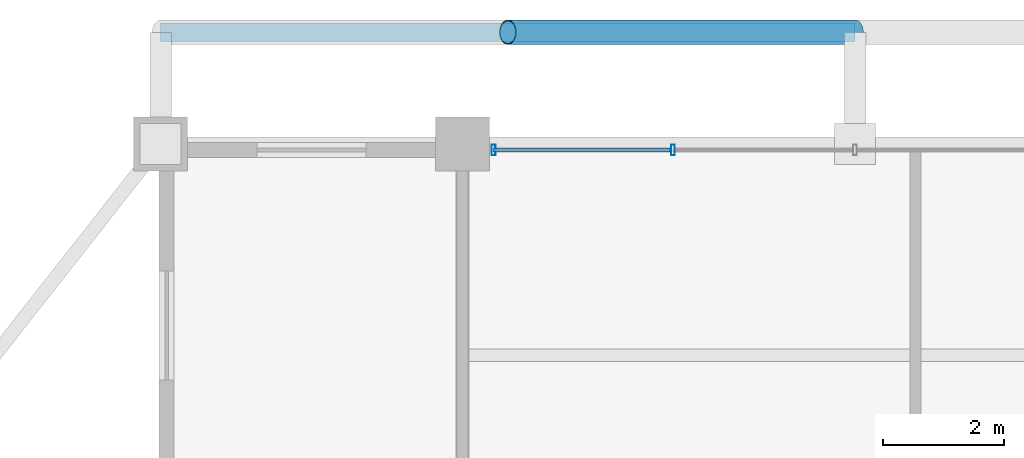
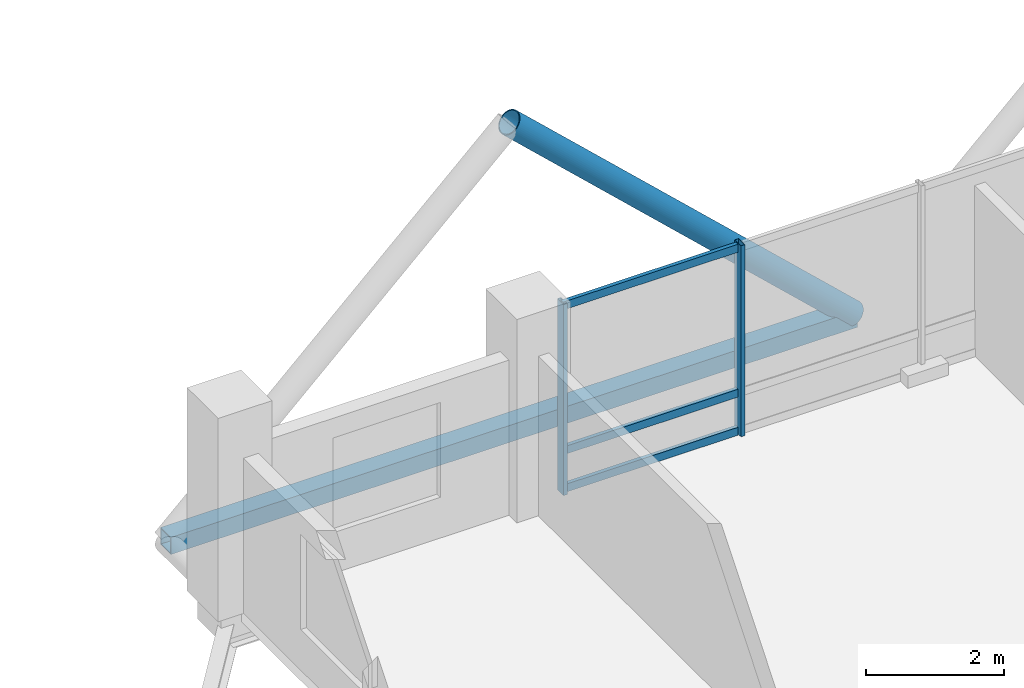
# One storey, part 15 of 24: 7 members, 1 element without a shape of its own.
"""IFC4 building model written with IfcOpenShell, lengths in metres."""

from ifc_helpers import new_model, si_unit, direction, frame, origin, origin_2d, place, context, subcontext, project, spatial, hollow_rectangle, hollow_circle, extrude, material, layer, layer_set, material_profile, profile_set, type_object, element, aggregate, save


model = new_model("IFC4")

# Units and contexts
model_context = context("Model", 3, precision=1e-05, world=origin(), true_north=direction((0.0, 1.0)))
body_context = subcontext(model_context, "Body", "Model", "MODEL_VIEW")
ifc_project = project(units=[si_unit("LENGTHUNIT", "METRE"), si_unit("AREAUNIT", "SQUARE_METRE"), si_unit("VOLUMEUNIT", "CUBIC_METRE"), si_unit("PLANEANGLEUNIT", "RADIAN"), si_unit("MASSUNIT", "GRAM", prefix="KILO")], contexts=[model_context])

# Site, building, storey
site_placement = place(None, origin())
site = spatial("IfcSite", under=ifc_project, at=site_placement, CompositionType="ELEMENT")
building_placement = place(site_placement, origin())
building = spatial("IfcBuilding", under=site, at=building_placement, Name="Barlavira Tower and Art Museum", CompositionType="ELEMENT")
storey_placement = place(building_placement, frame((0.0, 0.0, 272.699951171875)))
storey = spatial("IfcBuildingStorey", under=building, at=storey_placement, Name="L71", CompositionType="ELEMENT", Elevation=272.699951171875)

# Curtain wall, members
ifc_material_1 = material(Name="Low-iron coastal laminated glass", Category="glass")
ifc_layer = layer(ifc_material_1, 0.2099609375, Name="Low-iron coastal laminated glass")
ifc_layer_set = layer_set([ifc_layer], Name="Low-iron coastal laminated glass")
curtain_wall_type = type_object("IfcCurtainWallType", Name="Pale-Metal Unitised Curtain Wall Zone 4", PredefinedType="NOTDEFINED", material=ifc_layer_set)
curtain_wall_placement = place(storey_placement, origin())
curtain_wall = element("IfcCurtainWall", 1, at=curtain_wall_placement, inside=storey, type_object=curtain_wall_type, Name="L71 Curtain Wall CW4-L71-N-B2", PredefinedType="NOTDEFINED")
ifc_material_2 = material(Name="Pale anodised aluminium", Category="aluminium")
ifc_material_profile_1 = material_profile(ifc_material_2, hollow_rectangle(XDim=0.06494140625, YDim=0.179931640625, WallThickness=0.00390625, at=origin_2d()), Name="ALU-MULL 65x180x4")
ifc_profile_set_1 = profile_set([ifc_material_profile_1], Name="Pale anodised aluminium")
member_type_1 = type_object("IfcMemberType", Name="Curtain Wall Pale-Metal Mullion 65x180", PredefinedType="MULLION", material=ifc_profile_set_1)
member_1_placement = place(storey_placement, frame((-3.014892578125, 19.89990234375, 0.0), z_axis=(0.0, 0.0, 1.0), x_axis=(-1.0, 0.0, 0.0)))
member_1 = element("IfcMember", 2, at=member_1_placement, type_object=member_type_1, Name="CW4-L71-N-B2 Mullion 3", PredefinedType="MULLION", context=body_context, shape_type="SweptSolid", body=[
    extrude(hollow_rectangle(XDim=0.06494140625, YDim=0.179931640625, WallThickness=0.00390625, at=origin_2d()), origin(), (0.0, 0.0, 1.0), 3.380126953125),
])
member_2_placement = place(storey_placement, frame((-5.985107421875, 19.89990234375, 0.0), z_axis=(0.0, 0.0, 1.0), x_axis=(-1.0, 0.0, 0.0)))
member_2 = element("IfcMember", 3, at=member_2_placement, type_object=member_type_1, Name="CW4-L71-N-B2 Mullion 4", PredefinedType="MULLION", context=body_context, shape_type="SweptSolid", body=[
    extrude(hollow_rectangle(XDim=0.06494140625, YDim=0.179931640625, WallThickness=0.00390625, at=origin_2d()), origin(), (0.0, 0.0, 1.0), 3.380126953125),
])
ifc_material_profile_2 = material_profile(ifc_material_2, hollow_rectangle(XDim=0.06494140625, YDim=0.139892578125, WallThickness=0.00390625, at=origin_2d()), Name="ALU-TRAN 65x140x4")
ifc_profile_set_2 = profile_set([ifc_material_profile_2], Name="Pale anodised aluminium")
member_type_2 = type_object("IfcMemberType", Name="Curtain Wall Pale-Metal Transom 65x140", PredefinedType="USERDEFINED", material=ifc_profile_set_2)
member_3_placement = place(storey_placement, frame((-3.06005859375, 19.89990234375, 0.070068359375), z_axis=(-1.0, 0.0, 0.0), x_axis=(0.0, -1.0, 0.0)))
member_3 = element("IfcMember", 4, at=member_3_placement, type_object=member_type_2, Name="CW4-L71-N-B2 Transom 3.1", ObjectType="TRANSOM", PredefinedType="USERDEFINED", context=body_context, shape_type="SweptSolid", body=[
    extrude(hollow_rectangle(XDim=0.06494140625, YDim=0.139892578125, WallThickness=0.00390625, at=origin_2d()), origin(), (0.0, 0.0, 1.0), 2.925048828125),
])
member_4_placement = place(storey_placement, frame((-3.06005859375, 19.89990234375, 0.744140625), z_axis=(-1.0, 0.0, 0.0), x_axis=(0.0, -1.0, 0.0)))
member_4 = element("IfcMember", 5, at=member_4_placement, type_object=member_type_2, Name="CW4-L71-N-B2 Transom 3.2", ObjectType="TRANSOM", PredefinedType="USERDEFINED", context=body_context, shape_type="SweptSolid", body=[
    extrude(hollow_rectangle(XDim=0.06494140625, YDim=0.139892578125, WallThickness=0.00390625, at=origin_2d()), origin(), (0.0, 0.0, 1.0), 2.925048828125),
])
member_5_placement = place(storey_placement, frame((-3.06005859375, 19.89990234375, 3.31005859375), z_axis=(-1.0, 0.0, 0.0), x_axis=(0.0, -1.0, 0.0)))
member_5 = element("IfcMember", 6, at=member_5_placement, type_object=member_type_2, Name="CW4-L71-N-B2 Transom 3.3", ObjectType="TRANSOM", PredefinedType="USERDEFINED", context=body_context, shape_type="SweptSolid", body=[
    extrude(hollow_rectangle(XDim=0.06494140625, YDim=0.139892578125, WallThickness=0.00390625, at=origin_2d()), origin(), (0.0, 0.0, 1.0), 2.925048828125),
])
aggregate(curtain_wall, [member_1, member_2, member_3, member_4, member_5])

# Members
ifc_material_3 = material(Name="Steel S355", Category="steel")
ifc_material_profile_3 = material_profile(ifc_material_3, hollow_circle(Radius=0.203125, WallThickness=0.01611328125, at=origin_2d()), Name="CHS 406.4x16.0")
ifc_profile_set_3 = profile_set([ifc_material_profile_3], Name="Steel S355")
member_type_3 = type_object("IfcMemberType", Name="Pale-Metal Exoskeleton Diagrid Tube CHS 406x16 Steel S355", PredefinedType="BRACE", material=ifc_profile_set_3)
member_6_placement = place(storey_placement, frame((0.0, 21.85009765625, -0.119873046875), z_axis=(-0.728950095515, 0.0, 0.684566839869), x_axis=(0.0, -1.0, 0.0)))
element("IfcMember", 7, at=member_6_placement, inside=storey, type_object=member_type_3, Name="L71 Exoskeleton Diagrid Tube N", PredefinedType="BRACE", context=body_context, shape_type="SweptSolid", body=[
    extrude(hollow_circle(Radius=0.203125, WallThickness=0.01611328125, at=origin_2d()), origin(), (0.0, 0.0, 1.0), 7.887939453125),
])
ifc_material_profile_4 = material_profile(ifc_material_3, hollow_rectangle(XDim=0.300048828125, YDim=0.300048828125, WallThickness=0.01611328125, at=origin_2d()), Name="SHS 300x300x16.0")
ifc_profile_set_4 = profile_set([ifc_material_profile_4], Name="Steel S355")
member_type_4 = type_object("IfcMemberType", Name="Pale-Metal Upper Ring Strut SHS 300x300x16 Steel S355", PredefinedType="STRUT", material=ifc_profile_set_4)
member_7_placement = place(storey_placement, frame((-11.5, 21.85009765625, -0.119873046875), z_axis=(1.0, 0.0, 0.0), x_axis=(0.0, 1.0, 0.0)))
element("IfcMember", 8, at=member_7_placement, inside=storey, type_object=member_type_4, Name="L71 Exoskeleton Ring Strut N", PredefinedType="STRUT", context=body_context, shape_type="SweptSolid", body=[
    extrude(hollow_rectangle(XDim=0.300048828125, YDim=0.300048828125, WallThickness=0.01611328125, at=origin_2d()), origin(), (0.0, 0.0, 1.0), 11.5),
])

save(model, "model.ifc")
